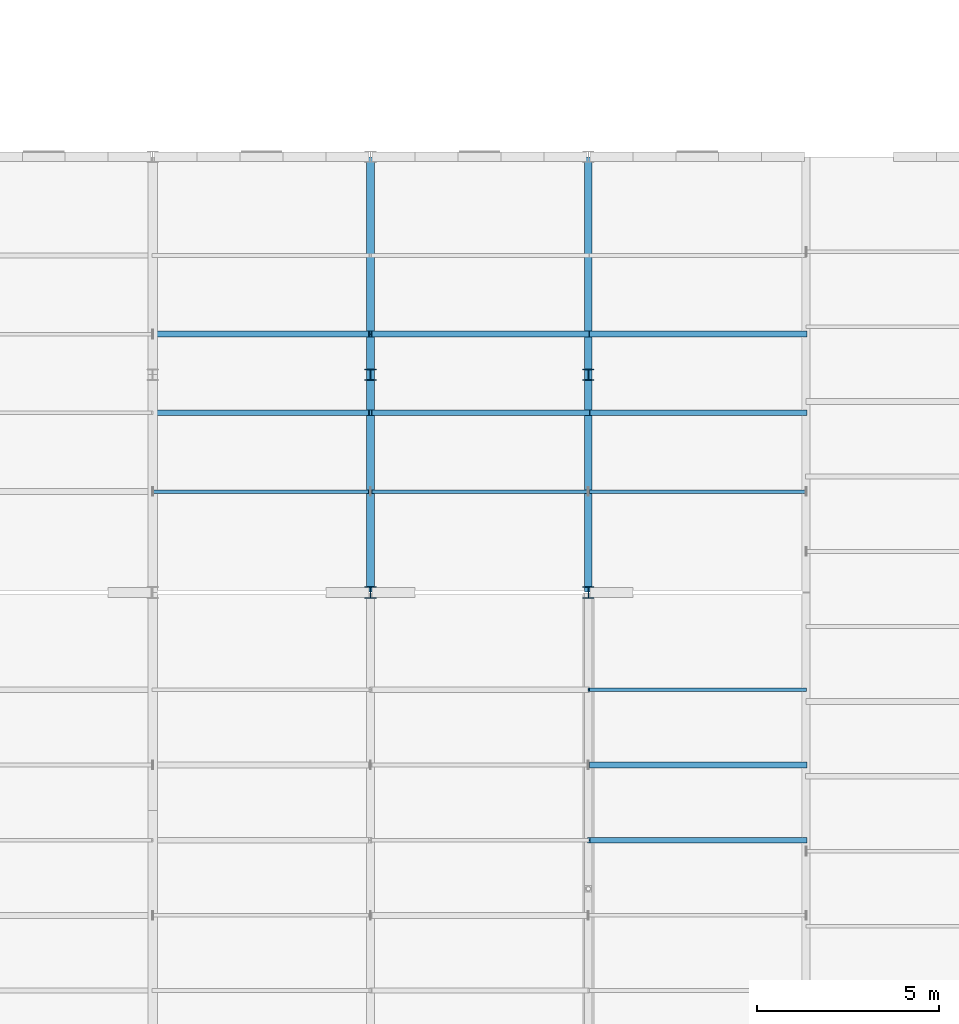
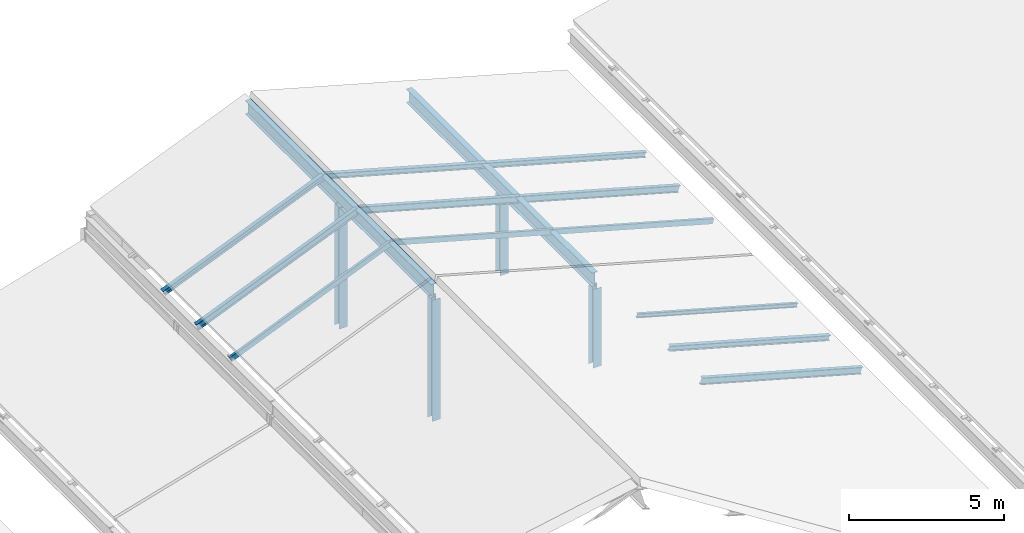
# One storey, part 7 of 74: 16 members, 2 beams.
"""IFC4 building model written with IfcOpenShell, lengths in metres."""

from ifc_helpers import new_model, si_unit, direction, frame, origin, origin_2d, place, context, subcontext, project, spatial, hollow_rectangle, i_section, extrude, material, material_profile, profile_set, type_object, element, save


model = new_model("IFC4")

# Units and contexts
model_context = context("Model", 3, precision=1e-05, world=origin(), true_north=direction((0.0, 1.0)))
body_context = subcontext(model_context, "Body", "Model", "MODEL_VIEW")
ifc_project = project(units=[si_unit("LENGTHUNIT", "METRE"), si_unit("AREAUNIT", "SQUARE_METRE"), si_unit("VOLUMEUNIT", "CUBIC_METRE"), si_unit("PLANEANGLEUNIT", "RADIAN"), si_unit("MASSUNIT", "GRAM", prefix="KILO")], contexts=[model_context])

# Site, building, storey
site_placement = place(None, origin())
site = spatial("IfcSite", under=ifc_project, at=site_placement, CompositionType="ELEMENT")
building_placement = place(site_placement, origin())
building = spatial("IfcBuilding", under=site, at=building_placement, Name="Siltcreek Boulevard Central Fire Station", CompositionType="ELEMENT")
storey_placement = place(building_placement, frame((0.0, 0.0, 25.199951171875)))
storey = spatial("IfcBuildingStorey", under=building, at=storey_placement, Name="RF", CompositionType="ELEMENT", Elevation=25.199951171875)

# Beams
ifc_material_1 = material(Name="Structural steel ASTM A992 Gr50", Category="steel")
ifc_material_profile_1 = material_profile(ifc_material_1, i_section(OverallWidth=0.2109375, OverallDepth=0.5390625, WebThickness=0.01171875, FlangeThickness=0.018798828125, at=origin_2d()), Name="W530X109")
ifc_profile_set_1 = profile_set([ifc_material_profile_1], Name="Structural steel ASTM A992 Gr50")
beam_type = type_object("IfcBeamType", Name="BM_W530X109", PredefinedType="BEAM", material=ifc_profile_set_1)
for number, where, z_axis, x_axis, name in (
    (1, (54.0, 42.010009765625, -10.18896484375), (0.0, 1.0, 0.0), (-1.0, 0.0, 0.0), "Pitched roof rafter beam RFB-015"),
    (2, (60.0, 42.010009765625, -11.836181640625), (0.0, 1.0, 0.0), (-1.0, 0.0, 0.0), "Pitched roof rafter beam RFB-016"),
):
    element("IfcBeam", number, at=place(storey_placement, frame(where, z_axis=z_axis, x_axis=x_axis)), inside=storey, type_object=beam_type, Name=name, PredefinedType="BEAM", context=body_context, shape_type="SweptSolid", body=[
        extrude(i_section(OverallWidth=0.2109375, OverallDepth=0.5390625, WebThickness=0.01171875, FlangeThickness=0.018798828125, at=origin_2d()), origin(), (0.0, 0.0, 1.0), 11.97998046875),
    ])

# Members
ifc_material_profile_2 = material_profile(ifc_material_1, i_section(OverallWidth=0.304931640625, OverallDepth=0.30810546875, WebThickness=0.010009765625, FlangeThickness=0.015380859375, at=origin_2d()), Name="W310X97")
ifc_profile_set_2 = profile_set([ifc_material_profile_2], Name="Structural steel ASTM A992 Gr50")
member_type_1 = type_object("IfcMemberType", Name="CH_W310X97", PredefinedType="CHORD", material=ifc_profile_set_2)
for number, where, z_axis, x_axis, name in (
    (3, (54.0, 42.0, -15.199951171875), (0.0, 0.0, 1.0), (1.0, 0.0, 0.0), "Roof bearing truss post 0704"),
    (4, (54.0, 48.0, -15.199951171875), (0.0, 0.0, 1.0), (1.0, 0.0, 0.0), "Roof bearing truss post 0705"),
):
    element("IfcMember", number, at=place(storey_placement, frame(where, z_axis=z_axis, x_axis=x_axis)), inside=storey, type_object=member_type_1, Name=name, PredefinedType="CHORD", context=body_context, shape_type="SweptSolid", body=[
        extrude(i_section(OverallWidth=0.304931640625, OverallDepth=0.30810546875, WebThickness=0.010009765625, FlangeThickness=0.015380859375, at=origin_2d()), origin(), (0.0, 0.0, 1.0), 4.773193359375),
    ])
for number, where, z_axis, x_axis, name in (
    (5, (60.0, 42.0, -15.199951171875), (0.0, 0.0, 1.0), (1.0, 0.0, 0.0), "Roof bearing truss post 0713"),
    (6, (60.0, 48.0, -15.199951171875), (0.0, 0.0, 1.0), (1.0, 0.0, 0.0), "Roof bearing truss post 0714"),
):
    element("IfcMember", number, at=place(storey_placement, frame(where, z_axis=z_axis, x_axis=x_axis)), inside=storey, type_object=member_type_1, Name=name, PredefinedType="CHORD", context=body_context, shape_type="SweptSolid", body=[
        extrude(i_section(OverallWidth=0.304931640625, OverallDepth=0.30810546875, WebThickness=0.010009765625, FlangeThickness=0.015380859375, at=origin_2d()), origin(), (0.0, 0.0, 1.0), 3.09814453125),
    ])
ifc_material_2 = material(Name="Structural steel ASTM A500 GrC", Category="steel")
ifc_material_profile_3 = material_profile(ifc_material_2, hollow_rectangle(XDim=0.10009765625, YDim=0.199951171875, WallThickness=0.00634765625, at=origin_2d()), Name="HSS200X100X6.4")
ifc_profile_set_3 = profile_set([ifc_material_profile_3], Name="Structural steel ASTM A500 GrC")
member_type_2 = type_object("IfcMemberType", Name="PR_HSS200X100", PredefinedType="PURLIN", material=ifc_profile_set_3)
member_1_placement = place(storey_placement, frame((48.010009765625, 44.778076171875, -12.46728515625), z_axis=(0.923074693136, 0.0, 0.384620736431), x_axis=(0.0, 1.0, 0.0)))
element("IfcMember", 7, at=member_1_placement, inside=storey, type_object=member_type_2, Name="Sloped roof purlin PR-0063", PredefinedType="PURLIN", context=body_context, shape_type="SweptSolid", body=[
    extrude(hollow_rectangle(XDim=0.10009765625, YDim=0.199951171875, WallThickness=0.00634765625, at=origin_2d()), origin(), (0.0, 0.0, 1.0), 6.478271484375),
])
member_2_placement = place(storey_placement, frame((54.010009765625, 44.778076171875, -9.95947265625), z_axis=(0.96318138349, 0.0, -0.268852417691), x_axis=(0.0, 1.0, 0.0)))
element("IfcMember", 8, at=member_2_placement, inside=storey, type_object=member_type_2, Name="Sloped roof purlin PR-0067", PredefinedType="PURLIN", context=body_context, shape_type="SweptSolid", body=[
    extrude(hollow_rectangle(XDim=0.10009765625, YDim=0.199951171875, WallThickness=0.00634765625, at=origin_2d()), origin(), (0.0, 0.0, 1.0), 6.20849609375),
])
member_3_placement = place(storey_placement, frame((60.010009765625, 44.778076171875, -11.63427734375), z_axis=(0.963171200032, 0.0, -0.268888897927), x_axis=(0.0, 1.0, 0.0)))
element("IfcMember", 9, at=member_3_placement, inside=storey, type_object=member_type_2, Name="Sloped roof purlin PR-0071", PredefinedType="PURLIN", context=body_context, shape_type="SweptSolid", body=[
    extrude(hollow_rectangle(XDim=0.10009765625, YDim=0.199951171875, WallThickness=0.00634765625, at=origin_2d()), origin(), (0.0, 0.0, 1.0), 6.208740234375),
])
ifc_material_profile_4 = material_profile(ifc_material_1, i_section(OverallWidth=0.10205078125, OverallDepth=0.159912109375, WebThickness=0.006591796875, FlangeThickness=0.01025390625, at=origin_2d()), Name="W150X24")
ifc_profile_set_4 = profile_set([ifc_material_profile_4], Name="Structural steel ASTM A992 Gr50")
member_type_3 = type_object("IfcMemberType", Name="PR_W150X24", PredefinedType="PURLIN", material=ifc_profile_set_4)
member_4_placement = place(storey_placement, frame((60.010009765625, 39.319091796875, -11.63427734375), z_axis=(0.963171200032, 0.0, -0.268888897927), x_axis=(0.0, 1.0, 0.0)))
element("IfcMember", 10, at=member_4_placement, inside=storey, type_object=member_type_3, Name="Sloped roof purlin PR-0062", PredefinedType="PURLIN", context=body_context, shape_type="SweptSolid", body=[
    extrude(i_section(OverallWidth=0.10205078125, OverallDepth=0.159912109375, WebThickness=0.006591796875, FlangeThickness=0.01025390625, at=origin_2d()), origin(), (0.0, 0.0, 1.0), 6.208740234375),
])
ifc_material_profile_5 = material_profile(ifc_material_1, i_section(OverallWidth=0.1650390625, OverallDepth=0.200927734375, WebThickness=0.006103515625, FlangeThickness=0.01025390625, at=origin_2d()), Name="W200X36")
ifc_profile_set_5 = profile_set([ifc_material_profile_5], Name="Structural steel ASTM A992 Gr50")
member_type_4 = type_object("IfcMemberType", Name="PR_W200X36", PredefinedType="PURLIN", material=ifc_profile_set_5)
member_5_placement = place(storey_placement, frame((60.010009765625, 37.248291015625, -11.65576171875), z_axis=(0.96318138349, 0.0, -0.268852417691), x_axis=(0.0, 1.0, 0.0)))
element("IfcMember", 11, at=member_5_placement, inside=storey, type_object=member_type_4, Name="Sloped roof purlin PR-0061", PredefinedType="PURLIN", context=body_context, shape_type="SweptSolid", body=[
    extrude(i_section(OverallWidth=0.1650390625, OverallDepth=0.200927734375, WebThickness=0.006103515625, FlangeThickness=0.01025390625, at=origin_2d()), origin(), (0.0, 0.0, 1.0), 6.20849609375),
])
member_6_placement = place(storey_placement, frame((48.010009765625, 49.114013671875, -12.4677734375), z_axis=(0.923074693136, 0.0, 0.384620736431), x_axis=(0.0, 1.0, 0.0)))
element("IfcMember", 12, at=member_6_placement, inside=storey, type_object=member_type_4, Name="Sloped roof purlin PR-0065", PredefinedType="PURLIN", context=body_context, shape_type="SweptSolid", body=[
    extrude(i_section(OverallWidth=0.1650390625, OverallDepth=0.200927734375, WebThickness=0.006103515625, FlangeThickness=0.01025390625, at=origin_2d()), origin(), (0.0, 0.0, 1.0), 6.478271484375),
])
for number, where, z_axis, x_axis, name in (
    (13, (54.010009765625, 49.114013671875, -9.9599609375), (0.963171200032, 0.0, -0.268888897927), (0.0, 1.0, 0.0), "Sloped roof purlin PR-0069"),
    (14, (60.010009765625, 49.114013671875, -11.634765625), (0.963171200032, 0.0, -0.268888897927), (0.0, 1.0, 0.0), "Sloped roof purlin PR-0073"),
):
    element("IfcMember", number, at=place(storey_placement, frame(where, z_axis=z_axis, x_axis=x_axis)), inside=storey, type_object=member_type_4, Name=name, PredefinedType="PURLIN", context=body_context, shape_type="SweptSolid", body=[
        extrude(i_section(OverallWidth=0.1650390625, OverallDepth=0.200927734375, WebThickness=0.006103515625, FlangeThickness=0.01025390625, at=origin_2d()), origin(), (0.0, 0.0, 1.0), 6.208740234375),
    ])
ifc_material_profile_6 = material_profile(ifc_material_1, i_section(OverallWidth=0.14697265625, OverallDepth=0.261962890625, WebThickness=0.006591796875, FlangeThickness=0.01123046875, at=origin_2d()), Name="W250X39")
ifc_profile_set_6 = profile_set([ifc_material_profile_6], Name="Structural steel ASTM A992 Gr50")
member_type_5 = type_object("IfcMemberType", Name="PR_W250X39", PredefinedType="PURLIN", material=ifc_profile_set_6)
member_7_placement = place(storey_placement, frame((60.010009765625, 35.17724609375, -11.687255859375), z_axis=(0.963171200032, 0.0, -0.268888897927), x_axis=(0.0, 1.0, 0.0)))
element("IfcMember", 15, at=member_7_placement, inside=storey, type_object=member_type_5, Name="Sloped roof purlin PR-0060", PredefinedType="PURLIN", context=body_context, shape_type="SweptSolid", body=[
    extrude(i_section(OverallWidth=0.14697265625, OverallDepth=0.261962890625, WebThickness=0.006591796875, FlangeThickness=0.01123046875, at=origin_2d()), origin(), (0.0, 0.0, 1.0), 6.208740234375),
])
member_8_placement = place(storey_placement, frame((48.010009765625, 46.946044921875, -12.5009765625), z_axis=(0.923074693136, 0.0, 0.384620736431), x_axis=(0.0, 1.0, 0.0)))
element("IfcMember", 16, at=member_8_placement, inside=storey, type_object=member_type_5, Name="Sloped roof purlin PR-0064", PredefinedType="PURLIN", context=body_context, shape_type="SweptSolid", body=[
    extrude(i_section(OverallWidth=0.14697265625, OverallDepth=0.261962890625, WebThickness=0.006591796875, FlangeThickness=0.01123046875, at=origin_2d()), origin(), (0.0, 0.0, 1.0), 6.478271484375),
])
for number, where, z_axis, x_axis, name in (
    (17, (54.010009765625, 46.946044921875, -9.991455078125), (0.963171200032, 0.0, -0.268888897927), (0.0, 1.0, 0.0), "Sloped roof purlin PR-0068"),
    (18, (60.010009765625, 46.946044921875, -11.66650390625), (0.963171200032, 0.0, -0.268888897927), (0.0, 1.0, 0.0), "Sloped roof purlin PR-0072"),
):
    element("IfcMember", number, at=place(storey_placement, frame(where, z_axis=z_axis, x_axis=x_axis)), inside=storey, type_object=member_type_5, Name=name, PredefinedType="PURLIN", context=body_context, shape_type="SweptSolid", body=[
        extrude(i_section(OverallWidth=0.14697265625, OverallDepth=0.261962890625, WebThickness=0.006591796875, FlangeThickness=0.01123046875, at=origin_2d()), origin(), (0.0, 0.0, 1.0), 6.208740234375),
    ])

save(model, "model.ifc")
